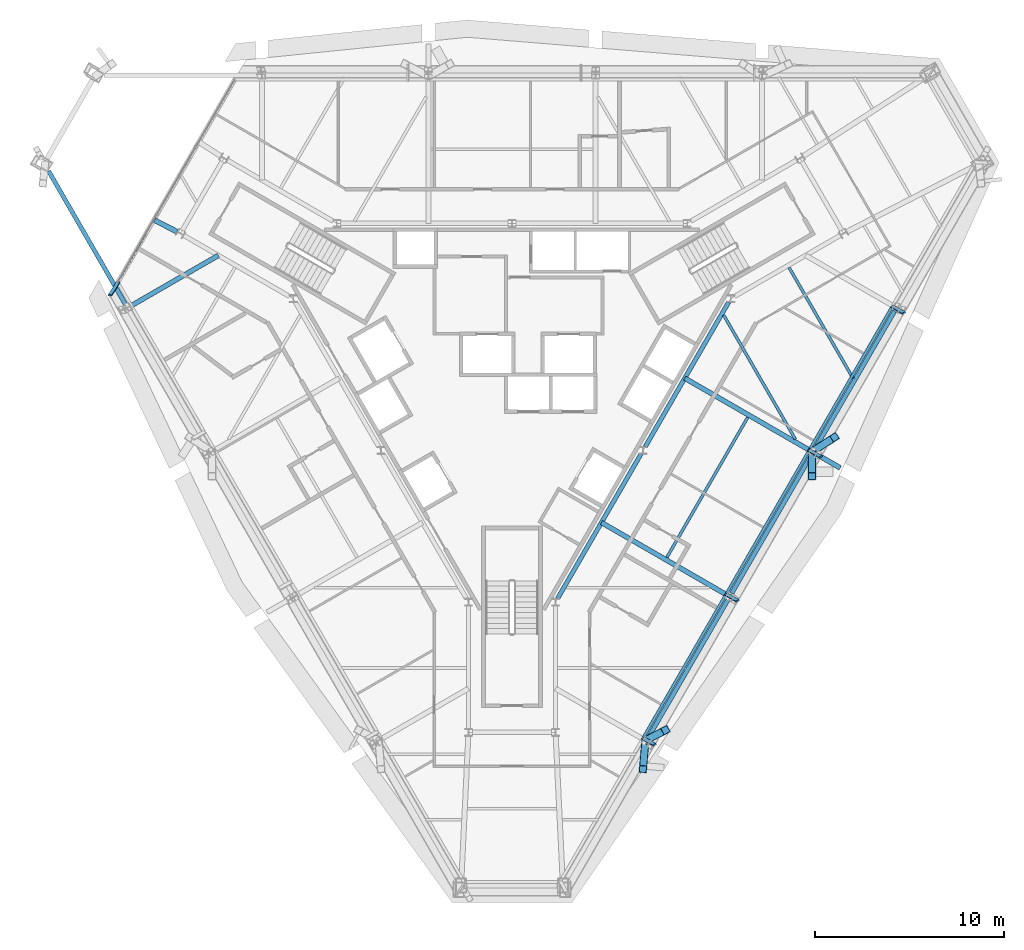
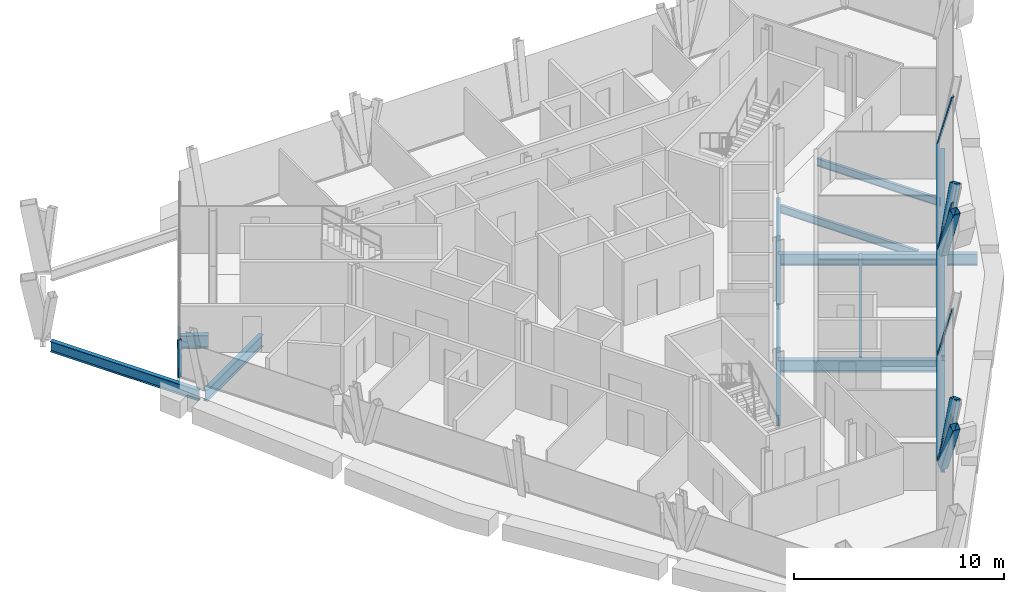
# One storey, part 3 of 11: 14 beams, 13 members, 3 elements without a shape of their own.
"""IFC4 building model written with IfcOpenShell, lengths in metres."""

from ifc_helpers import new_model, si_unit, direction, frame, origin, origin_2d, place, context, subcontext, project, spatial, rectangle, hollow_rectangle, i_section, extrude, material, material_profile, profile_set, type_object, element, aggregate, save


model = new_model("IFC4")

# Units and contexts
model_context = context("Model", 3, precision=1e-05, world=origin(), true_north=direction((0.0, 1.0)))
body_context = subcontext(model_context, "Body", "Model", "MODEL_VIEW")
ifc_project = project(units=[si_unit("LENGTHUNIT", "METRE"), si_unit("AREAUNIT", "SQUARE_METRE"), si_unit("VOLUMEUNIT", "CUBIC_METRE"), si_unit("PLANEANGLEUNIT", "RADIAN"), si_unit("MASSUNIT", "GRAM", prefix="KILO")], contexts=[model_context])

# Site, building, storey
site_placement = place(None, origin())
site = spatial("IfcSite", under=ifc_project, at=site_placement, CompositionType="ELEMENT")
building_placement = place(site_placement, origin())
building = spatial("IfcBuilding", under=site, at=building_placement, Name="Verrane Prism Tower", CompositionType="ELEMENT")
storey_placement = place(building_placement, frame((0.0, 0.0, 232.300048828125)))
storey = spatial("IfcBuildingStorey", under=building, at=storey_placement, Name="L58", CompositionType="ELEMENT", Elevation=232.300048828125)

# Beams
ifc_material_1 = material(Name="Steel A992", Category="steel")
ifc_material_profile_1 = material_profile(ifc_material_1, i_section(OverallWidth=0.23046875, OverallDepth=0.6171875, WebThickness=0.01318359375, FlangeThickness=0.022216796875, FilletRadius=0.012939453125, at=origin_2d()), Name="W24x94")
ifc_profile_set_1 = profile_set([ifc_material_profile_1], Name="Steel A992")
beam_type_1 = type_object("IfcBeamType", Name="Core ring girder W24x94", PredefinedType="BEAM", material=ifc_profile_set_1)
beam_1_placement = place(storey_placement, frame((2.411376953125, -11.826904296875, -0.55859375), z_axis=(0.499987781028, 0.866032458297, 0.0), x_axis=(-0.866032458297, 0.499987781028, 0.0)))
element("IfcBeam", 1, at=beam_1_placement, inside=storey, type_object=beam_type_1, Name="Core ring girder L58", PredefinedType="BEAM", context=body_context, shape_type="SweptSolid", body=[
    extrude(i_section(OverallWidth=0.23046875, OverallDepth=0.6171875, WebThickness=0.01318359375, FlangeThickness=0.022216796875, FilletRadius=0.012939453125, at=origin_2d()), origin(), (0.0, 0.0, 1.0), 8.814697265625),
])
beam_2_placement = place(storey_placement, frame((7.04150390625, -3.806884765625, -0.55859375), z_axis=(0.499967007444, 0.866044451208, 0.0), x_axis=(-0.866044451208, 0.499967007444, 0.0)))
element("IfcBeam", 2, at=beam_2_placement, inside=storey, type_object=beam_type_1, Name="Core ring girder L58", PredefinedType="BEAM", context=body_context, shape_type="SweptSolid", body=[
    extrude(i_section(OverallWidth=0.23046875, OverallDepth=0.6171875, WebThickness=0.01318359375, FlangeThickness=0.022216796875, FilletRadius=0.012939453125, at=origin_2d()), origin(), (0.0, 0.0, 1.0), 8.814453125),
])
ifc_material_2 = material(Name="Steel A992", Category="steel")
ifc_material_profile_2 = material_profile(ifc_material_2, i_section(OverallWidth=0.2666015625, OverallDepth=0.76708984375, WebThickness=0.014892578125, FlangeThickness=0.023681640625, FilletRadius=0.0166015625, at=origin_2d()), Name="W30x124")
ifc_profile_set_2 = profile_set([ifc_material_profile_2], Name="Steel A992")
beam_type_2 = type_object("IfcBeamType", Name="Corner girder W30x124", PredefinedType="BEAM", material=ifc_profile_set_2)
beam_3_placement = place(storey_placement, frame((-18.935302734375, 8.187255859375, -0.603515625), z_axis=(0.88946102269, -0.457011038286, 0.0), x_axis=(0.457011038286, 0.88946102269, 0.0)))
element("IfcBeam", 3, at=beam_3_placement, inside=storey, type_object=beam_type_2, Name="Corner girder L58", PredefinedType="BEAM", context=body_context, shape_type="SweptSolid", body=[
    extrude(i_section(OverallWidth=0.2666015625, OverallDepth=0.76708984375, WebThickness=0.014892578125, FlangeThickness=0.023681640625, FilletRadius=0.0166015625, at=origin_2d()), origin(), (0.0, 0.0, 1.0), 1.3916015625),
])

# Members
ifc_material_3 = material(Name="Steel A500 Grade C", Category="steel")
ifc_material_profile_3 = material_profile(ifc_material_3, hollow_rectangle(XDim=0.406494140625, YDim=0.406494140625, WallThickness=0.01904296875, InnerFilletRadius=0.009521484375, OuterFilletRadius=0.028564453125, at=origin_2d()), Name="HSS16x16x3/4")
ifc_profile_set_3 = profile_set([ifc_material_profile_3], Name="Steel A500 Grade C")
member_type_1 = type_object("IfcMemberType", Name="Facade brace HSS16x16x3/4", PredefinedType="BRACE", material=ifc_profile_set_3)
member_1_placement = place(storey_placement, frame((7.04052734375, -19.462646484375, -0.171630859375), z_axis=(-0.034948375627, -0.402012653514, 0.914966905115), x_axis=(0.996242565495, -0.086606874412, 0.0)))
element("IfcMember", 4, at=member_1_placement, inside=storey, type_object=member_type_1, Name="Facade brace SE0 L58", PredefinedType="BRACE", context=body_context, shape_type="SweptSolid", body=[
    extrude(hollow_rectangle(XDim=0.406494140625, YDim=0.406494140625, WallThickness=0.01904296875, InnerFilletRadius=0.009521484375, OuterFilletRadius=0.028564453125, at=origin_2d()), origin(), (0.0, 0.0, 1.0), 3.444091796875),
])
member_2_placement = place(storey_placement, frame((7.143310546875, -19.28515625, -0.171630859375), z_axis=(0.290256496643, 0.150180644454, 0.945090969266), x_axis=(-0.459538726245, 0.888157733221, 0.0)))
element("IfcMember", 5, at=member_2_placement, inside=storey, type_object=member_type_1, Name="Facade brace SE1 L58", PredefinedType="BRACE", context=body_context, shape_type="SweptSolid", body=[
    extrude(hollow_rectangle(XDim=0.406494140625, YDim=0.406494140625, WallThickness=0.01904296875, InnerFilletRadius=0.009521484375, OuterFilletRadius=0.028564453125, at=origin_2d()), origin(), (0.0, 0.0, 1.0), 3.334228515625),
])
member_3_placement = place(storey_placement, frame((15.861572265625, -4.18408203125, -0.171630859375), z_axis=(-0.002030465619, -0.352068235007, 0.935972133724), x_axis=(0.999983369827, -0.005767154347, 0.0)))
element("IfcMember", 6, at=member_3_placement, inside=storey, type_object=member_type_1, Name="Facade brace SE2 L58", PredefinedType="BRACE", context=body_context, shape_type="SweptSolid", body=[
    extrude(hollow_rectangle(XDim=0.406494140625, YDim=0.406494140625, WallThickness=0.01904296875, InnerFilletRadius=0.009521484375, OuterFilletRadius=0.028564453125, at=origin_2d()), origin(), (0.0, 0.0, 1.0), 3.36669921875),
])
member_4_placement = place(storey_placement, frame((15.964111328125, -4.00634765625, -0.171630859375), z_axis=(0.317897382719, 0.205525355036, 0.925581213345), x_axis=(-0.542929193659, 0.839778477143, 0.0)))
element("IfcMember", 7, at=member_4_placement, inside=storey, type_object=member_type_1, Name="Facade brace SE3 L58", PredefinedType="BRACE", context=body_context, shape_type="SweptSolid", body=[
    extrude(hollow_rectangle(XDim=0.406494140625, YDim=0.406494140625, WallThickness=0.01904296875, InnerFilletRadius=0.009521484375, OuterFilletRadius=0.028564453125, at=origin_2d()), origin(), (0.0, 0.0, 1.0), 3.404541015625),
])

# Beams
ifc_material_4 = material(Name="Steel A992", Category="steel")
ifc_material_profile_4 = material_profile(ifc_material_4, i_section(OverallWidth=0.15234375, OverallDepth=0.449462890625, WebThickness=0.007568359375, FlangeThickness=0.0107421875, FilletRadius=0.01025390625, at=origin_2d()), Name="W18x35")
ifc_profile_set_4 = profile_set([ifc_material_profile_4], Name="Steel A992")
beam_type_3 = type_object("IfcBeamType", Name="Floor beam W18x35", PredefinedType="BEAM", material=ifc_profile_set_4)
beam_4_placement = place(storey_placement, frame((8.18359375, -9.659912109375, -0.384765625), z_axis=(0.500005905661, 0.866021994122, 0.0), x_axis=(-0.866021994122, 0.500005905661, 0.0)))
element("IfcBeam", 8, at=beam_4_placement, inside=storey, type_object=beam_type_3, Name="Floor beam L58", PredefinedType="BEAM", context=body_context, shape_type="SweptSolid", body=[
    extrude(i_section(OverallWidth=0.15234375, OverallDepth=0.449462890625, WebThickness=0.007568359375, FlangeThickness=0.0107421875, FilletRadius=0.01025390625, at=origin_2d()), origin(), (0.0, 0.0, 1.0), 8.54931640625),
])
beam_5_placement = place(storey_placement, frame((18.029541015625, -0.203125, -0.384765625), z_axis=(-0.500004319728, 0.866022909774, 0.0), x_axis=(-0.866022909774, -0.500004319728, 0.0)))
element("IfcBeam", 9, at=beam_5_placement, inside=storey, type_object=beam_type_3, Name="Floor beam L58", PredefinedType="BEAM", context=body_context, shape_type="SweptSolid", body=[
    extrude(i_section(OverallWidth=0.15234375, OverallDepth=0.449462890625, WebThickness=0.007568359375, FlangeThickness=0.0107421875, FilletRadius=0.01025390625, at=origin_2d()), origin(), (0.0, 0.0, 1.0), 6.77294921875),
])
beam_6_placement = place(storey_placement, frame((14.9755859375, -3.414306640625, -0.384765625), z_axis=(-0.500014461485, 0.866017054281, 0.0), x_axis=(-0.866017054281, -0.500014461485, 0.0)))
element("IfcBeam", 10, at=beam_6_placement, inside=storey, type_object=beam_type_3, Name="Floor beam L58", PredefinedType="BEAM", context=body_context, shape_type="SweptSolid", body=[
    extrude(i_section(OverallWidth=0.15234375, OverallDepth=0.449462890625, WebThickness=0.007568359375, FlangeThickness=0.0107421875, FilletRadius=0.01025390625, at=origin_2d()), origin(), (0.0, 0.0, 1.0), 7.574951171875),
])

# Curtain wall, member
ifc_material_5 = material(Name="Aluminium framed insulated glazing", Category="aluminium")
curtain_wall_type_1 = type_object("IfcCurtainWallType", Name="Curtain wall CW-A 8400 module", PredefinedType="NOTDEFINED", material=ifc_material_5)
curtain_wall_1_placement = place(storey_placement, origin())
curtain_wall_1 = element("IfcCurtainWall", 11, at=curtain_wall_1_placement, inside=storey, type_object=curtain_wall_type_1, Name="Glazed curtain wall south-west face L58", PredefinedType="NOTDEFINED")
ifc_material_6 = material(Name="Aluminium alloy 6063-T6", Category="aluminium")
ifc_material_profile_5 = material_profile(ifc_material_6, rectangle(XDim=0.199951171875, YDim=0.070068359375, at=origin_2d()), Name="Mullion 70x200 aluminium")
ifc_profile_set_5 = profile_set([ifc_material_profile_5], Name="Aluminium alloy 6063-T6")
member_type_2 = type_object("IfcMemberType", Name="Mullion 70x200 aluminium", PredefinedType="MULLION", material=ifc_profile_set_5)
member_5_placement = place(storey_placement, frame((-20.8212890625, 4.860107421875, 0.0), z_axis=(-0.149196418637, -0.23705557194, 0.95997139774), x_axis=(0.988612022235, -0.055068366568, 0.140049078882)))
member_5 = element("IfcMember", 12, at=member_5_placement, type_object=member_type_2, Name="CW57.4 mullion 1", PredefinedType="MULLION", context=body_context, shape_type="SweptSolid", body=[
    extrude(rectangle(XDim=0.199951171875, YDim=0.070068359375, at=origin_2d()), origin(), (0.0, 0.0, 1.0), 2.825927734375),
])
aggregate(curtain_wall_1, [member_5])

# Curtain wall, members
curtain_wall_2_placement = place(storey_placement, origin())
curtain_wall_2 = element("IfcCurtainWall", 13, at=curtain_wall_2_placement, inside=storey, type_object=curtain_wall_type_1, Name="Glazed curtain wall south-east face L58", PredefinedType="NOTDEFINED")
member_6_placement = place(storey_placement, frame((6.925048828125, -19.209228515625, 0.0), z_axis=(0.216367259975, -0.124870835096, 0.968293593572), x_axis=(-0.852210596142, -0.508070036647, 0.124907716676)))
member_6 = element("IfcMember", 14, at=member_6_placement, type_object=member_type_2, Name="CW57.6 mullion 2", PredefinedType="MULLION", context=body_context, shape_type="SweptSolid", body=[
    extrude(rectangle(XDim=0.199951171875, YDim=0.070068359375, at=origin_2d()), origin(), (0.0, 0.0, 1.0), 2.8017578125),
])
member_7_placement = place(storey_placement, frame((11.31591796875, -11.603759765625, 0.0), z_axis=(0.216450317663, -0.124868480358, 0.968275334085), x_axis=(-0.852114116303, -0.508223134942, 0.124943098679)))
member_7 = element("IfcMember", 15, at=member_7_placement, type_object=member_type_2, Name="CW57.6 mullion 3", PredefinedType="MULLION", context=body_context, shape_type="SweptSolid", body=[
    extrude(rectangle(XDim=0.199951171875, YDim=0.070068359375, at=origin_2d()), origin(), (0.0, 0.0, 1.0), 2.8017578125),
])
member_8_placement = place(storey_placement, frame((15.70703125, -3.998046875, 0.0), z_axis=(0.216364904862, -0.124956614407, 0.968283053895), x_axis=(-0.852359461608, -0.50781522996, 0.124928141056)))
member_8 = element("IfcMember", 16, at=member_8_placement, type_object=member_type_2, Name="CW57.6 mullion 4", PredefinedType="MULLION", context=body_context, shape_type="SweptSolid", body=[
    extrude(rectangle(XDim=0.199951171875, YDim=0.070068359375, at=origin_2d()), origin(), (0.0, 0.0, 1.0), 2.8017578125),
])
member_9_placement = place(storey_placement, frame((20.09814453125, 3.607421875, 0.0), z_axis=(0.216364904862, -0.124956614407, 0.968283053895), x_axis=(-0.852359461608, -0.50781522996, 0.124928141056)))
member_9 = element("IfcMember", 17, at=member_9_placement, type_object=member_type_2, Name="CW57.6 mullion 5", PredefinedType="MULLION", context=body_context, shape_type="SweptSolid", body=[
    extrude(rectangle(XDim=0.199951171875, YDim=0.070068359375, at=origin_2d()), origin(), (0.0, 0.0, 1.0), 2.8017578125),
])

# Beams
ifc_material_7 = material(Name="Steel A992", Category="steel")
ifc_material_profile_6 = material_profile(ifc_material_7, i_section(OverallWidth=0.25390625, OverallDepth=0.683349609375, WebThickness=0.012451171875, FlangeThickness=0.01904296875, FilletRadius=0.01513671875, at=origin_2d()), Name="W27x94")
ifc_profile_set_6 = profile_set([ifc_material_profile_6], Name="Steel A992")
beam_type_4 = type_object("IfcBeamType", Name="Radial girder W27x94", PredefinedType="BEAM", material=ifc_profile_set_6)
beam_7_placement = place(storey_placement, frame((-20.147216796875, 3.629638671875, -0.561767578125), z_axis=(0.866020604947, 0.500008311739, 0.0), x_axis=(-0.500008311739, 0.866020604947, 0.0)))
element("IfcBeam", 18, at=beam_7_placement, inside=storey, type_object=beam_type_4, Name="Radial girder L58", PredefinedType="BEAM", context=body_context, shape_type="SweptSolid", body=[
    extrude(i_section(OverallWidth=0.25390625, OverallDepth=0.683349609375, WebThickness=0.012451171875, FlangeThickness=0.01904296875, FilletRadius=0.01513671875, at=origin_2d()), origin(), (0.0, 0.0, 1.0), 5.34765625),
])
beam_8_placement = place(storey_placement, frame((11.33740234375, -11.63037109375, -0.561767578125), z_axis=(-0.866033767766, 0.499985512879, 0.0), x_axis=(-0.499985512879, -0.866033767766, 0.0)))
element("IfcBeam", 19, at=beam_8_placement, inside=storey, type_object=beam_type_4, Name="Radial girder L58", PredefinedType="BEAM", context=body_context, shape_type="SweptSolid", body=[
    extrude(i_section(OverallWidth=0.25390625, OverallDepth=0.683349609375, WebThickness=0.012451171875, FlangeThickness=0.01904296875, FilletRadius=0.01513671875, at=origin_2d()), origin(), (0.0, 0.0, 1.0), 7.632080078125),
])
beam_9_placement = place(storey_placement, frame((15.7373046875, -4.000244140625, -0.561767578125), z_axis=(-0.86603047963, 0.499991208275, 0.0), x_axis=(-0.499991208275, -0.86603047963, 0.0)))
element("IfcBeam", 20, at=beam_9_placement, inside=storey, type_object=beam_type_4, Name="Radial girder L58", PredefinedType="BEAM", context=body_context, shape_type="SweptSolid", body=[
    extrude(i_section(OverallWidth=0.25390625, OverallDepth=0.683349609375, WebThickness=0.012451171875, FlangeThickness=0.01904296875, FilletRadius=0.01513671875, at=origin_2d()), origin(), (0.0, 0.0, 1.0), 7.627685546875),
])
beam_10_placement = place(storey_placement, frame((16.0791015625, -4.19775390625, -0.561767578125), z_axis=(0.86607715515, -0.499910353291, 0.0), x_axis=(0.499910353291, 0.86607715515, 0.0)))
element("IfcBeam", 21, at=beam_10_placement, inside=storey, type_object=beam_type_4, Name="Cantilever girder L58", PredefinedType="BEAM", context=body_context, shape_type="SweptSolid", body=[
    extrude(i_section(OverallWidth=0.25390625, OverallDepth=0.683349609375, WebThickness=0.012451171875, FlangeThickness=0.01904296875, FilletRadius=0.01513671875, at=origin_2d()), origin(), (0.0, 0.0, 1.0), 1.462158203125),
])
ifc_material_8 = material(Name="Steel A992", Category="steel")
ifc_material_profile_7 = material_profile(ifc_material_8, i_section(OverallWidth=0.23046875, OverallDepth=0.6171875, WebThickness=0.01318359375, FlangeThickness=0.022216796875, FilletRadius=0.012939453125, at=origin_2d()), Name="W24x94")
ifc_profile_set_7 = profile_set([ifc_material_profile_7], Name="Steel A992")
beam_type_5 = type_object("IfcBeamType", Name="Spandrel beam W24x94", PredefinedType="SPANDREL", material=ifc_profile_set_7)
beam_11_placement = place(storey_placement, frame((-24.4892578125, 10.759765625, -0.46875), z_axis=(0.499572810058, -0.866271901571, 0.0), x_axis=(0.866271901571, 0.499572810058, 0.0)))
element("IfcBeam", 22, at=beam_11_placement, inside=storey, type_object=beam_type_5, Name="Spandrel beam L58", PredefinedType="SPANDREL", context=body_context, shape_type="SweptSolid", body=[
    extrude(i_section(OverallWidth=0.23046875, OverallDepth=0.6171875, WebThickness=0.01318359375, FlangeThickness=0.022216796875, FilletRadius=0.012939453125, at=origin_2d()), origin(), (0.0, 0.0, 1.0), 8.145263671875),
])
beam_12_placement = place(storey_placement, frame((7.200439453125, -19.186279296875, -0.46875), z_axis=(0.500418309917, 0.865783757701, 0.0), x_axis=(-0.865783757701, 0.500418309917, 0.0)))
element("IfcBeam", 23, at=beam_12_placement, inside=storey, type_object=beam_type_5, Name="Spandrel beam L58", PredefinedType="SPANDREL", context=body_context, shape_type="SweptSolid", body=[
    extrude(i_section(OverallWidth=0.23046875, OverallDepth=0.6171875, WebThickness=0.01318359375, FlangeThickness=0.022216796875, FilletRadius=0.012939453125, at=origin_2d()), origin(), (0.0, 0.0, 1.0), 8.411376953125),
])
beam_13_placement = place(storey_placement, frame((11.610107421875, -11.55615234375, -0.46875), z_axis=(0.499569084189, 0.866274050242, 0.0), x_axis=(-0.866274050242, 0.499569084189, 0.0)))
element("IfcBeam", 24, at=beam_13_placement, inside=storey, type_object=beam_type_5, Name="Spandrel beam L58", PredefinedType="SPANDREL", context=body_context, shape_type="SweptSolid", body=[
    extrude(i_section(OverallWidth=0.23046875, OverallDepth=0.6171875, WebThickness=0.01318359375, FlangeThickness=0.022216796875, FilletRadius=0.012939453125, at=origin_2d()), origin(), (0.0, 0.0, 1.0), 8.40673828125),
])
beam_14_placement = place(storey_placement, frame((16.010498046875, -3.92626953125, -0.46875), z_axis=(0.500396552915, 0.865796332766, 0.0), x_axis=(-0.865796332766, 0.500396552915, 0.0)))
element("IfcBeam", 25, at=beam_14_placement, inside=storey, type_object=beam_type_5, Name="Spandrel beam L58", PredefinedType="SPANDREL", context=body_context, shape_type="SweptSolid", body=[
    extrude(i_section(OverallWidth=0.23046875, OverallDepth=0.6171875, WebThickness=0.01318359375, FlangeThickness=0.022216796875, FilletRadius=0.012939453125, at=origin_2d()), origin(), (0.0, 0.0, 1.0), 8.411376953125),
])

# Curtain wall, member
ifc_material_9 = material(Name="Aluminium framed insulated glazing", Category="aluminium")
curtain_wall_type_2 = type_object("IfcCurtainWallType", Name="Curtain wall CW-C 4200 module", PredefinedType="NOTDEFINED", material=ifc_material_9)
curtain_wall_3_placement = place(storey_placement, origin())
curtain_wall_3 = element("IfcCurtainWall", 26, at=curtain_wall_3_placement, inside=storey, type_object=curtain_wall_type_2, Name="Glazed curtain wall garden cut line L58 1", PredefinedType="NOTDEFINED")
ifc_material_10 = material(Name="Aluminium alloy 6063-T6", Category="aluminium")
ifc_material_profile_8 = material_profile(ifc_material_10, rectangle(XDim=0.10009765625, YDim=0.050048828125, at=origin_2d()), Name="Transom 50x100 aluminium")
ifc_profile_set_8 = profile_set([ifc_material_profile_8], Name="Aluminium alloy 6063-T6")
member_type_3 = type_object("IfcMemberType", Name="Transom 50x100 aluminium", PredefinedType="USERDEFINED", material=ifc_profile_set_8)
member_10_placement = place(storey_placement, frame((-18.789794921875, 8.439208984375, 0.02490234375), z_axis=(-0.500028439647, -0.866008983524, 0.0), x_axis=(0.866008983524, -0.500028439647, 0.0)))
member_10 = element("IfcMember", 27, at=member_10_placement, type_object=member_type_3, Name="CW57.3.1 transom 3", ObjectType="TRANSOM", PredefinedType="USERDEFINED", context=body_context, shape_type="SweptSolid", body=[
    extrude(rectangle(XDim=0.10009765625, YDim=0.050048828125, at=origin_2d()), origin(), (0.0, 0.0, 1.0), 4.097900390625),
])
aggregate(curtain_wall_3, [member_10])

# Member
ifc_material_11 = material(Name="Aluminium alloy 6063-T6", Category="aluminium")
ifc_material_profile_9 = material_profile(ifc_material_11, rectangle(XDim=0.14990234375, YDim=0.070068359375, at=origin_2d()), Name="Transom 70x150 aluminium")
ifc_profile_set_9 = profile_set([ifc_material_profile_9], Name="Aluminium alloy 6063-T6")
member_type_4 = type_object("IfcMemberType", Name="Transom 70x150 aluminium", PredefinedType="USERDEFINED", material=ifc_profile_set_9)
member_11_placement = place(storey_placement, frame((6.9423828125, -19.178955078125, 0.034912109375), z_axis=(0.50001192258, 0.86601852017, 0.0), x_axis=(-0.86601852017, 0.50001192258, 0.0)))
member_11 = element("IfcMember", 28, at=member_11_placement, type_object=member_type_4, Name="CW57.6 transom 2", ObjectType="TRANSOM", PredefinedType="USERDEFINED", context=body_context, shape_type="SweptSolid", body=[
    extrude(rectangle(XDim=0.14990234375, YDim=0.070068359375, at=origin_2d()), origin(), (0.0, 0.0, 1.0), 8.712158203125),
])

member_12_placement = place(storey_placement, frame((11.33349609375, -11.5732421875, 0.034912109375), z_axis=(0.500024057273, 0.866011513866, 0.0), x_axis=(-0.866011513866, 0.500024057273, 0.0)))
member_12 = element("IfcMember", 29, at=member_12_placement, type_object=member_type_4, Name="CW57.6 transom 3", ObjectType="TRANSOM", PredefinedType="USERDEFINED", context=body_context, shape_type="SweptSolid", body=[
    extrude(rectangle(XDim=0.14990234375, YDim=0.070068359375, at=origin_2d()), origin(), (0.0, 0.0, 1.0), 8.7119140625),
])

member_13_placement = place(storey_placement, frame((15.724609375, -3.9677734375, 0.034912109375), z_axis=(0.499990905326, 0.866030654533, 0.0), x_axis=(-0.866030654533, 0.499990905326, 0.0)))
member_13 = element("IfcMember", 30, at=member_13_placement, type_object=member_type_4, Name="CW57.6 transom 4", ObjectType="TRANSOM", PredefinedType="USERDEFINED", context=body_context, shape_type="SweptSolid", body=[
    extrude(rectangle(XDim=0.14990234375, YDim=0.070068359375, at=origin_2d()), origin(), (0.0, 0.0, 1.0), 8.712158203125),
])

aggregate(curtain_wall_2, [member_6, member_7, member_8, member_9, member_11, member_12, member_13])

save(model, "model.ifc")
